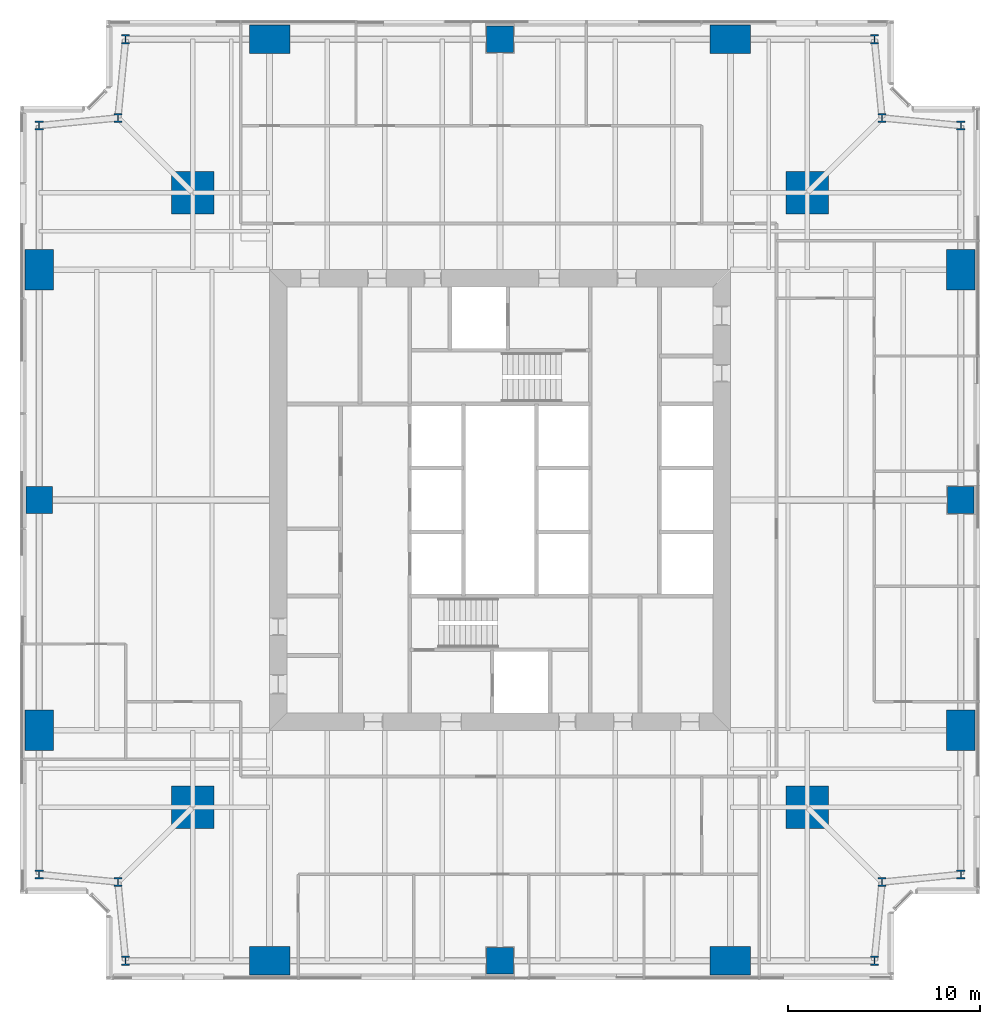
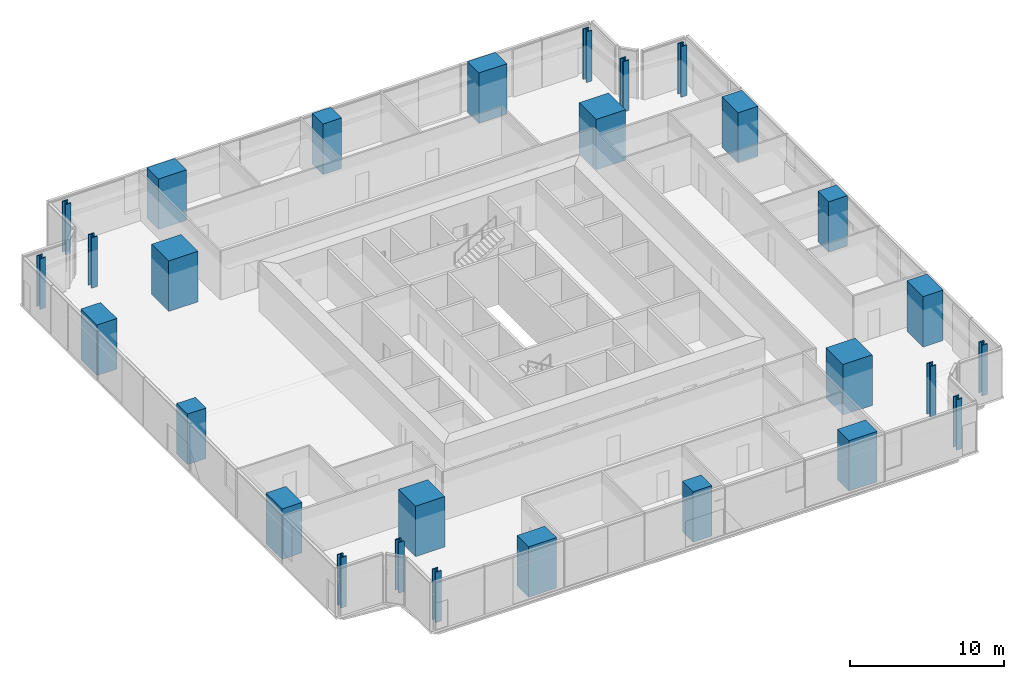
# One storey, part 1 of 13: 28 columns.
"""IFC4 building model written with IfcOpenShell, lengths in metres."""

from ifc_helpers import new_model, si_unit, direction, frame, origin, origin_2d, place, context, subcontext, project, spatial, rectangle, i_section, extrude, material, material_profile, profile_set, type_object, element, save


model = new_model("IFC4")

# Units and contexts
model_context = context("Model", 3, precision=1e-05, world=origin(), true_north=direction((0.0, 1.0)))
body_context = subcontext(model_context, "Body", "Model", "MODEL_VIEW")
ifc_project = project(units=[si_unit("LENGTHUNIT", "METRE"), si_unit("AREAUNIT", "SQUARE_METRE"), si_unit("VOLUMEUNIT", "CUBIC_METRE"), si_unit("PLANEANGLEUNIT", "RADIAN"), si_unit("MASSUNIT", "GRAM", prefix="KILO")], contexts=[model_context])

# Site, building, storey
site_placement = place(None, origin())
site = spatial("IfcSite", under=ifc_project, at=site_placement, CompositionType="ELEMENT")
building_placement = place(site_placement, origin())
building = spatial("IfcBuilding", under=site, at=building_placement, Name="Fenwick Lantern Interchange", CompositionType="ELEMENT")
storey_placement = place(building_placement, frame((0.0, 0.0, 106.39990234375)))
storey = spatial("IfcBuildingStorey", under=building, at=storey_placement, Name="L24", CompositionType="ELEMENT", Elevation=106.39990234375)

# Columns
ifc_material_1 = material(Name="Concrete f'c 70 MPa", Category="concrete")
ifc_material_profile_1 = material_profile(ifc_material_1, rectangle(XDim=2.199951171875, YDim=2.199951171875, at=origin_2d()), Name="RC2200X2200")
ifc_profile_set_1 = profile_set([ifc_material_profile_1], Name="Concrete f'c 70 MPa")
column_type_1 = type_object("IfcColumnType", Name="MEGA COLUMN RC2200X2200", PredefinedType="COLUMN", material=ifc_profile_set_1)
for number, where, z_axis, x_axis, name in (
    (1, (9.0, 9.0, 0.0), (0.0, 0.0, 1.0), (1.0, 0.0, 0.0), "L24/M1"),
    (2, (41.0, 9.0, 0.0), (0.0, 0.0, 1.0), (1.0, 0.0, 0.0), "L24/M2"),
    (3, (41.0, 41.0, 0.0), (0.0, 0.0, 1.0), (1.0, 0.0, 0.0), "L24/M3"),
    (4, (9.0, 41.0, 0.0), (0.0, 0.0, 1.0), (1.0, 0.0, 0.0), "L24/M4"),
):
    element("IfcColumn", number, at=place(storey_placement, frame(where, z_axis=z_axis, x_axis=x_axis)), inside=storey, type_object=column_type_1, Name=name, PredefinedType="COLUMN", context=body_context, shape_type="SweptSolid", body=[
        extrude(rectangle(XDim=2.199951171875, YDim=2.199951171875, at=origin_2d()), origin(), (0.0, 0.0, 1.0), 4.0),
    ])
ifc_material_profile_2 = material_profile(ifc_material_1, rectangle(XDim=1.39990234375, YDim=1.39990234375, at=origin_2d()), Name="RC1400X1400")
ifc_profile_set_2 = profile_set([ifc_material_profile_2], Name="Concrete f'c 70 MPa")
column_type_2 = type_object("IfcColumnType", Name="PERIMETER COLUMN RC1400X1400", PredefinedType="COLUMN", material=ifc_profile_set_2)
for number, where, z_axis, x_axis, name in (
    (5, (25.0, 1.0, 0.0), (0.0, 0.0, 1.0), (1.0, 0.0, 0.0), "L24/CS3"),
    (6, (49.0, 25.0, 0.0), (0.0, 0.0, 1.0), (1.0, 0.0, 0.0), "L24/CE3"),
    (7, (25.0, 49.0, 0.0), (0.0, 0.0, 1.0), (1.0, 0.0, 0.0), "L24/CN3"),
    (8, (1.0, 25.0, 0.0), (0.0, 0.0, 1.0), (1.0, 0.0, 0.0), "L24/CW3"),
):
    element("IfcColumn", number, at=place(storey_placement, frame(where, z_axis=z_axis, x_axis=x_axis)), inside=storey, type_object=column_type_2, Name=name, PredefinedType="COLUMN", context=body_context, shape_type="SweptSolid", body=[
        extrude(rectangle(XDim=1.39990234375, YDim=1.39990234375, at=origin_2d()), origin(), (0.0, 0.0, 1.0), 4.0),
    ])
ifc_material_profile_3 = material_profile(ifc_material_1, rectangle(XDim=1.5, YDim=2.10009765625, at=origin_2d()), Name="RC1500X2100")
ifc_profile_set_3 = profile_set([ifc_material_profile_3], Name="Concrete f'c 70 MPa")
column_type_3 = type_object("IfcColumnType", Name="PERIMETER COLUMN RC1500X2100", PredefinedType="COLUMN", material=ifc_profile_set_3)
for number, where, z_axis, x_axis, name in (
    (9, (49.0, 13.0, 0.0), (0.0, 0.0, 1.0), (1.0, 0.0, 0.0), "L24/CE2"),
    (10, (49.0, 37.0, 0.0), (0.0, 0.0, 1.0), (1.0, 0.0, 0.0), "L24/CE4"),
    (11, (1.0, 37.0, 0.0), (0.0, 0.0, 1.0), (1.0, 0.0, 0.0), "L24/CW2"),
    (12, (1.0, 13.0, 0.0), (0.0, 0.0, 1.0), (1.0, 0.0, 0.0), "L24/CW4"),
):
    element("IfcColumn", number, at=place(storey_placement, frame(where, z_axis=z_axis, x_axis=x_axis)), inside=storey, type_object=column_type_3, Name=name, PredefinedType="COLUMN", context=body_context, shape_type="SweptSolid", body=[
        extrude(rectangle(XDim=1.5, YDim=2.10009765625, at=origin_2d()), origin(), (0.0, 0.0, 1.0), 4.0),
    ])
ifc_material_profile_4 = material_profile(ifc_material_1, rectangle(XDim=2.10009765625, YDim=1.5, at=origin_2d()), Name="RC2100X1500")
ifc_profile_set_4 = profile_set([ifc_material_profile_4], Name="Concrete f'c 70 MPa")
column_type_4 = type_object("IfcColumnType", Name="PERIMETER COLUMN RC2100X1500", PredefinedType="COLUMN", material=ifc_profile_set_4)
for number, where, z_axis, x_axis, name in (
    (13, (13.0, 1.0, 0.0), (0.0, 0.0, 1.0), (1.0, 0.0, 0.0), "L24/CS2"),
    (14, (37.0, 1.0, 0.0), (0.0, 0.0, 1.0), (1.0, 0.0, 0.0), "L24/CS4"),
    (15, (37.0, 49.0, 0.0), (0.0, 0.0, 1.0), (1.0, 0.0, 0.0), "L24/CN2"),
    (16, (13.0, 49.0, 0.0), (0.0, 0.0, 1.0), (1.0, 0.0, 0.0), "L24/CN4"),
):
    element("IfcColumn", number, at=place(storey_placement, frame(where, z_axis=z_axis, x_axis=x_axis)), inside=storey, type_object=column_type_4, Name=name, PredefinedType="COLUMN", context=body_context, shape_type="SweptSolid", body=[
        extrude(rectangle(XDim=2.10009765625, YDim=1.5, at=origin_2d()), origin(), (0.0, 0.0, 1.0), 4.0),
    ])
ifc_material_2 = material(Name="Steel ASTM A992 Grade 50", Category="steel")
ifc_material_profile_5 = material_profile(ifc_material_2, i_section(OverallWidth=0.424072265625, OverallDepth=0.47509765625, WebThickness=0.0478515625, FlangeThickness=0.0771484375, at=origin_2d()), Name="W14X426")
ifc_profile_set_5 = profile_set([ifc_material_profile_5], Name="Steel ASTM A992 Grade 50")
column_type_5 = type_object("IfcColumnType", Name="PERIMETER COLUMN W14X426", PredefinedType="COLUMN", material=ifc_profile_set_5)
for number, where, z_axis, x_axis, name in (
    (17, (5.5, 1.0, 0.0), (0.0, 0.0, 1.0), (1.0, 0.0, 0.0), "L24/CS1"),
    (18, (44.5, 1.0, 0.0), (0.0, 0.0, 1.0), (1.0, 0.0, 0.0), "L24/CS5"),
    (19, (44.89990234375, 5.10009765625, 0.0), (0.0, 0.0, 1.0), (1.0, 0.0, 0.0), "L24/CSR"),
    (20, (49.0, 5.5, 0.0), (0.0, 0.0, 1.0), (1.0, 0.0, 0.0), "L24/CE1"),
    (21, (49.0, 44.5, 0.0), (0.0, 0.0, 1.0), (1.0, 0.0, 0.0), "L24/CE5"),
    (22, (44.89990234375, 44.89990234375, 0.0), (0.0, 0.0, 1.0), (1.0, 0.0, 0.0), "L24/CER"),
    (23, (44.5, 49.0, 0.0), (0.0, 0.0, 1.0), (1.0, 0.0, 0.0), "L24/CN1"),
    (24, (5.5, 49.0, 0.0), (0.0, 0.0, 1.0), (1.0, 0.0, 0.0), "L24/CN5"),
    (25, (5.10009765625, 44.89990234375, 0.0), (0.0, 0.0, 1.0), (1.0, 0.0, 0.0), "L24/CNR"),
    (26, (1.0, 44.5, 0.0), (0.0, 0.0, 1.0), (1.0, 0.0, 0.0), "L24/CW1"),
    (27, (1.0, 5.5, 0.0), (0.0, 0.0, 1.0), (1.0, 0.0, 0.0), "L24/CW5"),
    (28, (5.10009765625, 5.10009765625, 0.0), (0.0, 0.0, 1.0), (1.0, 0.0, 0.0), "L24/CWR"),
):
    element("IfcColumn", number, at=place(storey_placement, frame(where, z_axis=z_axis, x_axis=x_axis)), inside=storey, type_object=column_type_5, Name=name, PredefinedType="COLUMN", context=body_context, shape_type="SweptSolid", body=[
        extrude(i_section(OverallWidth=0.424072265625, OverallDepth=0.47509765625, WebThickness=0.0478515625, FlangeThickness=0.0771484375, at=origin_2d()), origin(), (0.0, 0.0, 1.0), 4.0),
    ])

save(model, "model.ifc")
